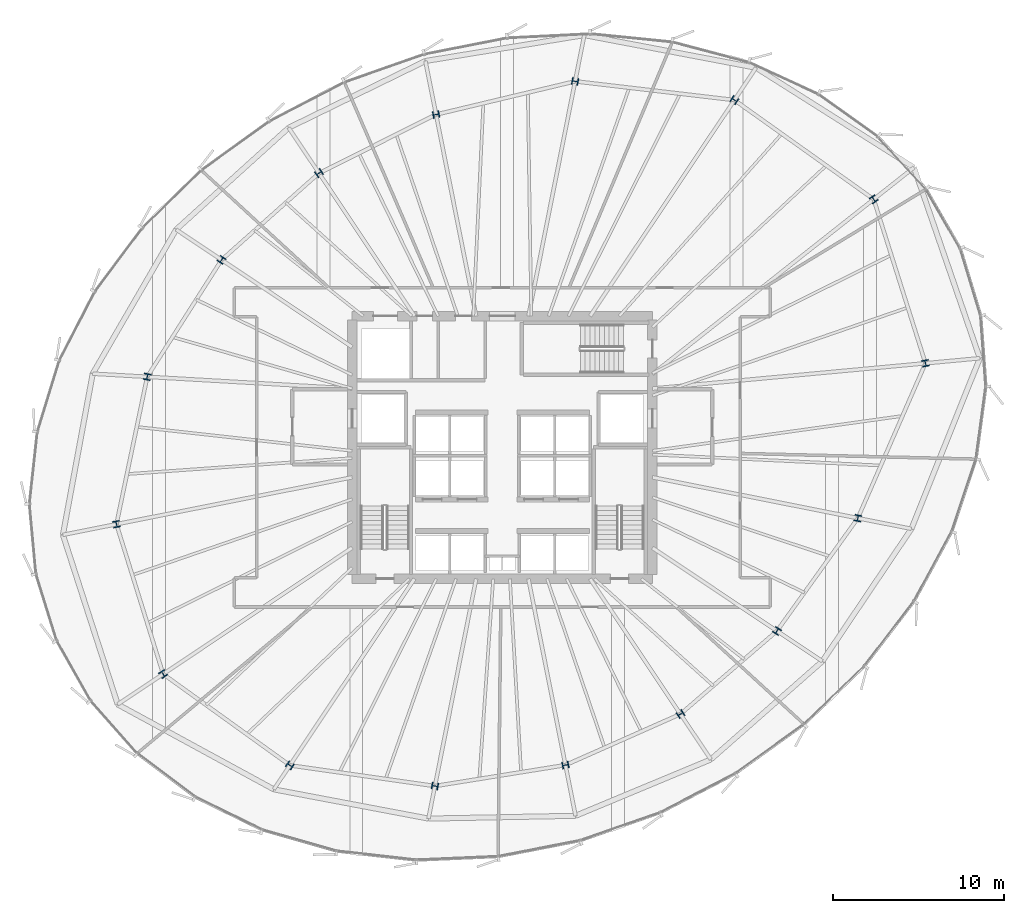
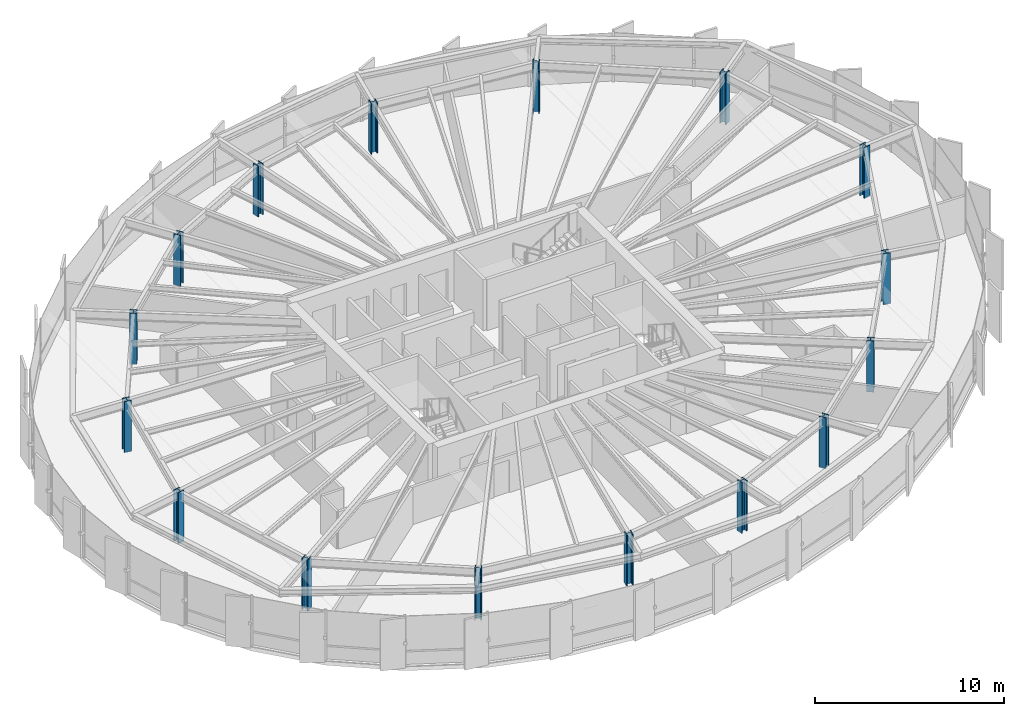
# One storey, part 1 of 34: 16 columns.
"""IFC4 building model written with IfcOpenShell, lengths in metres."""

from ifc_helpers import new_model, si_unit, direction, frame, origin, origin_2d, place, context, subcontext, project, spatial, i_section, extrude, source, transform, mapped, material, material_profile, profile_set, type_object, element, save


model = new_model("IFC4")

# Units and contexts
model_context = context("Model", 3, precision=1e-05, world=origin(), true_north=direction((0.0, 1.0)))
body_context = subcontext(model_context, "Body", "Model", "MODEL_VIEW")
ifc_project = project(units=[si_unit("LENGTHUNIT", "METRE"), si_unit("AREAUNIT", "SQUARE_METRE"), si_unit("VOLUMEUNIT", "CUBIC_METRE"), si_unit("PLANEANGLEUNIT", "RADIAN"), si_unit("MASSUNIT", "GRAM", prefix="KILO"), si_unit("THERMODYNAMICTEMPERATUREUNIT", "KELVIN")], contexts=[model_context])

# Site, building, storey
site_placement = place(None, origin())
site = spatial("IfcSite", under=ifc_project, at=site_placement, CompositionType="ELEMENT")
building_placement = place(site_placement, origin())
building = spatial("IfcBuilding", under=site, at=building_placement, Name="Kethvar Cultural Tower", CompositionType="ELEMENT")
storey_placement = place(building_placement, frame((0.0, 0.0, 128.800048828125)))
storey = spatial("IfcBuildingStorey", under=building, at=storey_placement, Name="L32", CompositionType="ELEMENT", Elevation=128.800048828125)

# Columns
ifc_material = material(Name="Steel S460M", Category="steel")
ifc_material_profile = material_profile(ifc_material, i_section(OverallWidth=0.40087890625, OverallDepth=0.381103515625, WebThickness=0.031982421875, FlangeThickness=0.051025390625, FilletRadius=0.014892578125, at=origin_2d()), Name="Steel S460M — HD400x677")
ifc_profile_set = profile_set([ifc_material_profile], Name="Steel S460M — HD400x677")
column_type = type_object("IfcColumnType", Name="COL-HD677", PredefinedType="COLUMN", material=ifc_profile_set)
shared_shape = source(origin(), body_context, "Body", "SweptSolid", [
    extrude(i_section(OverallWidth=0.40087890625, OverallDepth=0.381103515625, WebThickness=0.031982421875, FlangeThickness=0.051025390625, FilletRadius=0.014892578125, at=origin_2d()), origin(), (0.0, 0.0, 1.0), 3.300048828125),
])
for number, where, z_axis, x_axis, name in (
    (1, (71.6025390625, 32.7333984375, 0.0), (0.0, 0.0, 1.0), (0.980785280403, 0.195090322016, 0.0), "L32 Mega-Column MC-01"),
    (2, (68.568603515625, 42.34521484375, 0.0), (0.0, 0.0, 1.0), (0.831469612303, 0.55557023302, 0.0), "L32 Mega-Column MC-02"),
    (3, (60.40478515625, 48.160888671875, 0.0), (0.0, 0.0, 1.0), (0.55557023302, 0.831469612303, 0.0), "L32 Mega-Column MC-03"),
    (4, (51.068603515625, 49.25927734375, 0.0), (0.0, 0.0, 1.0), (0.195090322016, 0.980785280403, 0.0), "L32 Mega-Column MC-04"),
    (5, (42.9189453125, 47.311279296875, 0.0), (0.0, 0.0, 1.0), (-0.195090322016, 0.980785280403, 0.0), "L32 Mega-Column MC-05"),
    (6, (36.0576171875, 43.877197265625, 0.0), (0.0, 0.0, 1.0), (-0.55557023302, 0.831469612303, 0.0), "L32 Mega-Column MC-06"),
    (7, (30.345947265625, 38.794189453125, 0.0), (0.0, 0.0, 1.0), (-0.831469612303, 0.55557023302, 0.0), "L32 Mega-Column MC-07"),
    (8, (25.988525390625, 31.939697265625, 0.0), (0.0, 0.0, 1.0), (-0.980785280403, 0.195090322016, 0.0), "L32 Mega-Column MC-08"),
    (9, (24.185302734375, 23.3017578125, 0.0), (0.0, 0.0, 1.0), (-0.980785280403, -0.195090322016, 0.0), "L32 Mega-Column MC-09"),
    (10, (26.920654296875, 14.51708984375, 0.0), (0.0, 0.0, 1.0), (-0.831469612303, -0.55557023302, 0.0), "L32 Mega-Column MC-10"),
    (11, (34.350830078125, 9.16845703125, 0.0), (0.0, 0.0, 1.0), (-0.55557023302, -0.831469612303, 0.0), "L32 Mega-Column MC-11"),
    (12, (42.852294921875, 7.95361328125, 0.0), (0.0, 0.0, 1.0), (-0.195090322016, -0.980785280403, 0.0), "L32 Mega-Column MC-12"),
    (13, (50.50341796875, 9.182373046875, 0.0), (0.0, 0.0, 1.0), (0.195090322016, -0.980785280403, 0.0), "L32 Mega-Column MC-13"),
    (14, (57.241943359375, 12.17236328125, 0.0), (0.0, 0.0, 1.0), (0.55557023302, -0.831469612303, 0.0), "L32 Mega-Column MC-14"),
    (15, (62.898681640625, 17.043212890625, 0.0), (0.0, 0.0, 1.0), (0.831469612303, -0.55557023302, 0.0), "L32 Mega-Column MC-15"),
    (16, (67.638671875, 23.65478515625, 0.0), (0.0, 0.0, 1.0), (0.980785280403, -0.195090322016, 0.0), "L32 Mega-Column MC-16"),
):
    element("IfcColumn", number, at=place(storey_placement, frame(where, z_axis=z_axis, x_axis=x_axis)), inside=storey, type_object=column_type, Name=name, PredefinedType="COLUMN", context=body_context, shape_type="MappedRepresentation", body=[
        mapped(shared_shape, transform((0.0, 0.0, 0.0), scale=1.0)),
    ])

save(model, "model.ifc")
